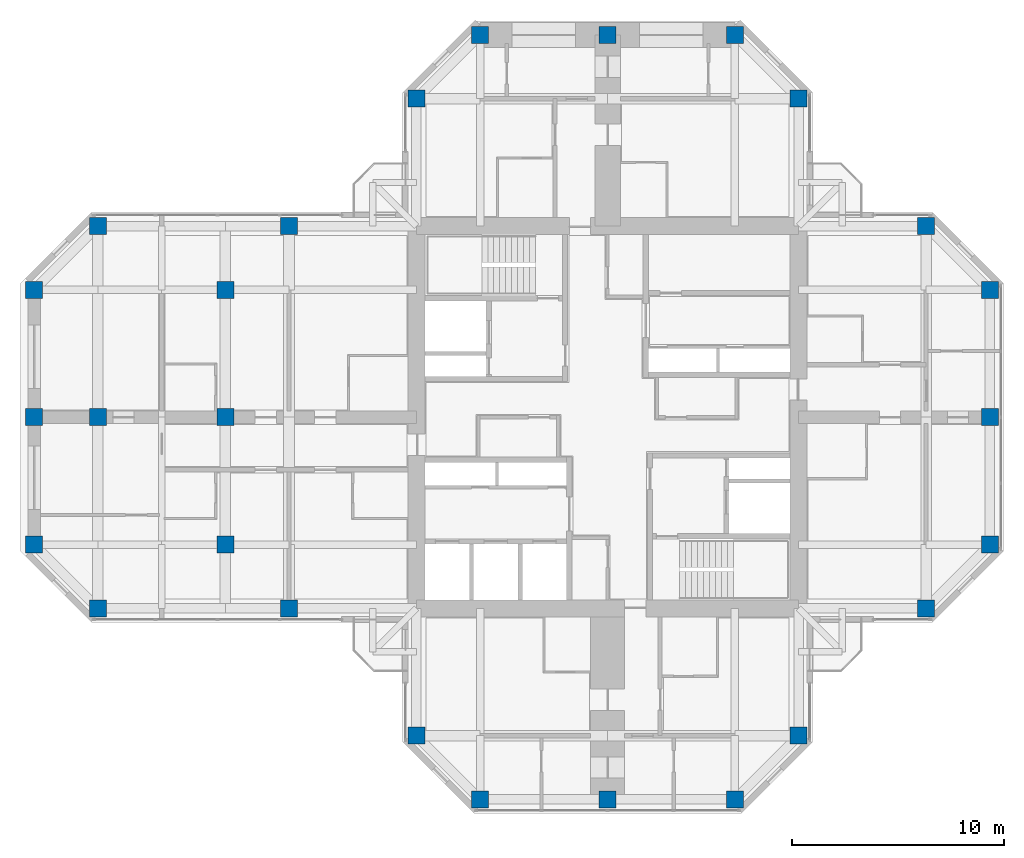
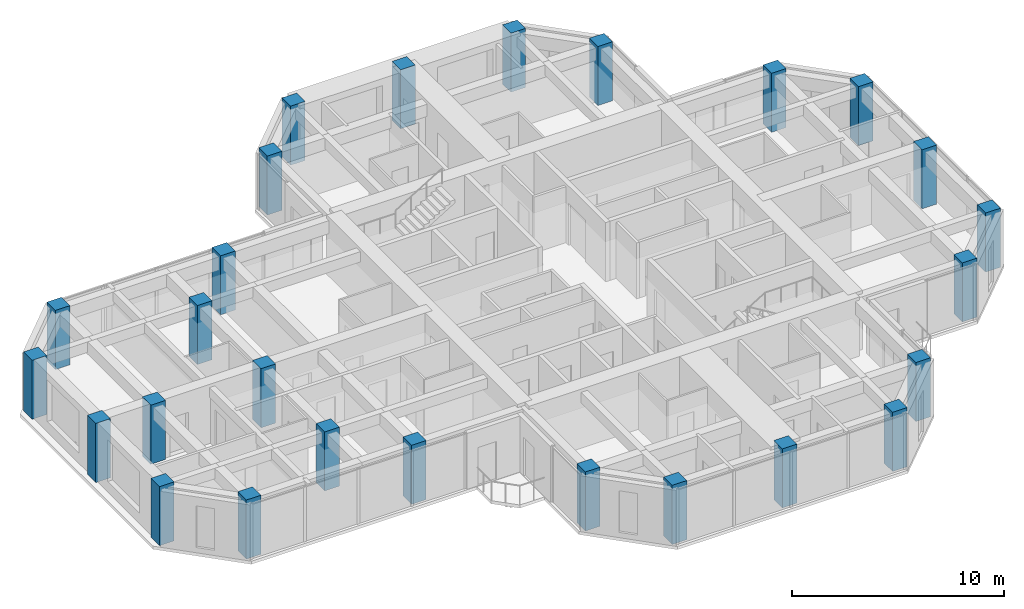
# One storey, part 1 of 14: 26 columns.
"""IFC4 building model written with IfcOpenShell, lengths in metres."""

from ifc_helpers import new_model, si_unit, direction, frame, origin, origin_2d, place, context, subcontext, project, spatial, rectangle, extrude, material, material_profile, profile_set, type_object, element, save


model = new_model("IFC4")

# Units and contexts
model_context = context("Model", 3, precision=1e-05, world=origin(), true_north=direction((0.0, 1.0)))
body_context = subcontext(model_context, "Body", "Model", "MODEL_VIEW")
ifc_project = project(units=[si_unit("LENGTHUNIT", "METRE"), si_unit("AREAUNIT", "SQUARE_METRE"), si_unit("VOLUMEUNIT", "CUBIC_METRE"), si_unit("PLANEANGLEUNIT", "RADIAN"), si_unit("MASSUNIT", "GRAM", prefix="KILO")], contexts=[model_context])

# Site, building, storey
site_placement = place(None, origin())
site = spatial("IfcSite", under=ifc_project, at=site_placement, CompositionType="ELEMENT")
building_placement = place(site_placement, origin())
building = spatial("IfcBuilding", under=site, at=building_placement, Name="Torre Cruceta", CompositionType="ELEMENT")
storey_placement = place(building_placement, frame((0.0, 0.0, 228.89990234375)))
storey = spatial("IfcBuildingStorey", under=building, at=storey_placement, Name="L58", CompositionType="ELEMENT", Elevation=228.89990234375)

# Columns
ifc_material = material(Name="Concrete G60 (fck 60 MPa)", Category="concrete")
ifc_material_profile = material_profile(ifc_material, rectangle(XDim=0.800048828125, YDim=0.800048828125, at=origin_2d()), Name="RC 800X800")
ifc_profile_set = profile_set([ifc_material_profile], Name="Concrete G60 (fck 60 MPa)")
column_type = type_object("IfcColumnType", Name="COLUMN RC 800X800", PredefinedType="COLUMN", material=ifc_profile_set)
for number, where, z_axis, x_axis, name in (
    (1, (9.0, 15.0, 0.0), (0.0, 0.0, 1.0), (1.0, 0.0, 0.0), "C7 L58 N chamfer"),
    (2, (-9.0, 15.0, 0.0), (0.0, 0.0, 1.0), (1.0, 0.0, 0.0), "C7 L58 N chamfer"),
    (3, (6.0, 18.0, 0.0), (0.0, 0.0, 1.0), (1.0, 0.0, 0.0), "C7 L58 N tip"),
    (4, (0.0, 18.0, 0.0), (0.0, 0.0, 1.0), (1.0, 0.0, 0.0), "C7 L58 N tip"),
    (5, (-6.0, 18.0, 0.0), (0.0, 0.0, 1.0), (1.0, 0.0, 0.0), "C7 L58 N tip"),
    (6, (15.0, -9.0, 0.0), (0.0, 0.0, 1.0), (1.0, 0.0, 0.0), "C7 L58 E chamfer"),
    (7, (15.0, 9.0, 0.0), (0.0, 0.0, 1.0), (1.0, 0.0, 0.0), "C7 L58 E chamfer"),
    (8, (18.0, -6.0, 0.0), (0.0, 0.0, 1.0), (1.0, 0.0, 0.0), "C7 L58 E tip"),
    (9, (18.0, 0.0, 0.0), (0.0, 0.0, 1.0), (1.0, 0.0, 0.0), "C7 L58 E tip"),
    (10, (18.0, 6.0, 0.0), (0.0, 0.0, 1.0), (1.0, 0.0, 0.0), "C7 L58 E tip"),
    (11, (-9.0, -15.0, 0.0), (0.0, 0.0, 1.0), (1.0, 0.0, 0.0), "C7 L58 S chamfer"),
    (12, (9.0, -15.0, 0.0), (0.0, 0.0, 1.0), (1.0, 0.0, 0.0), "C7 L58 S chamfer"),
    (13, (-6.0, -18.0, 0.0), (0.0, 0.0, 1.0), (1.0, 0.0, 0.0), "C7 L58 S tip"),
    (14, (0.0, -18.0, 0.0), (0.0, 0.0, 1.0), (1.0, 0.0, 0.0), "C7 L58 S tip"),
    (15, (6.0, -18.0, 0.0), (0.0, 0.0, 1.0), (1.0, 0.0, 0.0), "C7 L58 S tip"),
    (16, (-15.0, 9.0, 0.0), (0.0, 0.0, 1.0), (1.0, 0.0, 0.0), "C7 L58 W side"),
    (17, (-24.0, 9.0, 0.0), (0.0, 0.0, 1.0), (1.0, 0.0, 0.0), "C7 L58 W chamfer"),
    (18, (-15.0, -9.0, 0.0), (0.0, 0.0, 1.0), (1.0, 0.0, 0.0), "C7 L58 W side"),
    (19, (-24.0, -9.0, 0.0), (0.0, 0.0, 1.0), (1.0, 0.0, 0.0), "C7 L58 W chamfer"),
    (20, (-27.0, 6.0, 0.0), (0.0, 0.0, 1.0), (1.0, 0.0, 0.0), "C7 L58 W tip"),
    (21, (-27.0, 0.0, 0.0), (0.0, 0.0, 1.0), (1.0, 0.0, 0.0), "C7 L58 W tip"),
    (22, (-27.0, -6.0, 0.0), (0.0, 0.0, 1.0), (1.0, 0.0, 0.0), "C7 L58 W tip"),
    (23, (-18.0, 6.0, 0.0), (0.0, 0.0, 1.0), (1.0, 0.0, 0.0), "C7 L58 W interior"),
    (24, (-18.0, 0.0, 0.0), (0.0, 0.0, 1.0), (1.0, 0.0, 0.0), "C7 L58 W interior"),
    (25, (-18.0, -6.0, 0.0), (0.0, 0.0, 1.0), (1.0, 0.0, 0.0), "C7 L58 W interior"),
    (26, (-24.0, 0.0, 0.0), (0.0, 0.0, 1.0), (1.0, 0.0, 0.0), "C7 L58 W interior"),
):
    element("IfcColumn", number, at=place(storey_placement, frame(where, z_axis=z_axis, x_axis=x_axis)), inside=storey, type_object=column_type, Name=name, PredefinedType="COLUMN", context=body_context, shape_type="SweptSolid", body=[
        extrude(rectangle(XDim=0.800048828125, YDim=0.800048828125, at=origin_2d()), origin(), (0.0, 0.0, 1.0), 3.400146484375),
    ])

save(model, "model.ifc")
